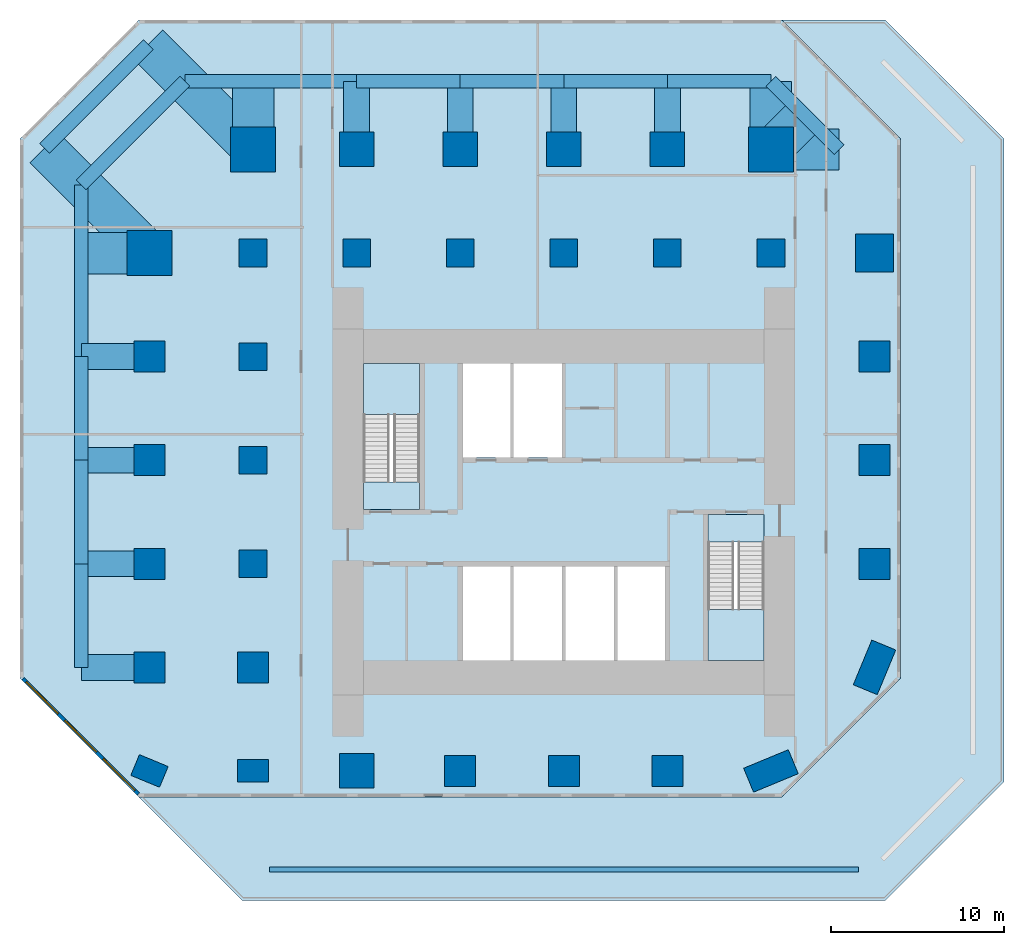
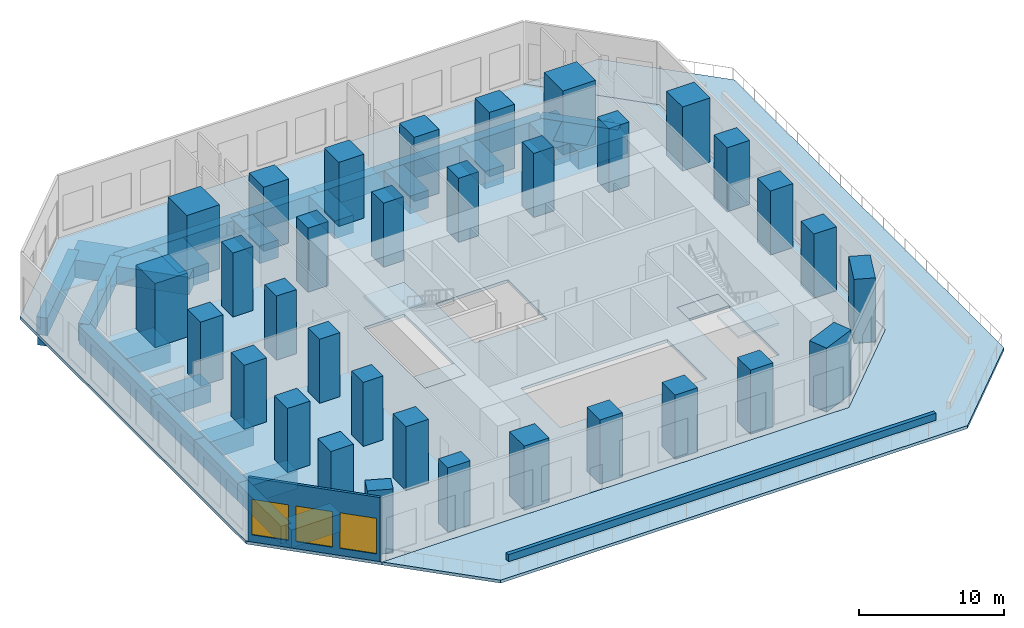
# One storey, part 1 of 7: 33 columns, 27 beams, 6 slabs, 3 windows, 2 walls, 3 openings, 2 elements without a shape of their own.
"""IFC4 building model written with IfcOpenShell, lengths in metres."""

import ifcopenshell
import ifcopenshell.guid

model = None  # the IFC model being written
_history = None  # IfcOwnerHistory: only IFC2X3 demands one
_inside = {}  # id of a spatial element -> (the spatial element, [elements in it])
_under = {}  # id of a project, library or spatial element -> (it, [spatial elements below it])
_declared = {}  # id of a project -> (the project, [libraries it declares])
_typed = {}  # id of a type object -> (the type object, [elements of that type])
_made_of = {}  # id of a material, layer set ... -> (it, [elements and type objects made of it])


def new_model(schema):
    """Start an empty IFC model of exactly this schema.

    Asked for "IFC4X3", IfcOpenShell would pick the latest addendum, in which some entities
    have other attributes; the version numbers below select the first issue.
    IFC2X3 requires an IfcOwnerHistory on every rooted entity: one is made here for all.
    """
    global model, _history
    if schema == "IFC4X3":
        model = ifcopenshell.file(schema_version=(4, 3, 0, 0))
    else:
        model = ifcopenshell.file(schema=schema)
    _inside.clear()
    _under.clear()
    _declared.clear()
    _typed.clear()
    _made_of.clear()
    _history = None
    if model.schema == "IFC2X3":
        org = make("IfcOrganization", Name="unknown")
        user = make(
            "IfcPersonAndOrganization",
            ThePerson=make("IfcPerson", FamilyName="unknown"),
            TheOrganization=org,
        )
        app = make(
            "IfcApplication",
            ApplicationDeveloper=org,
            Version="unknown",
            ApplicationFullName="unknown",
            ApplicationIdentifier="unknown",
        )
        _history = make(
            "IfcOwnerHistory",
            OwningUser=user,
            OwningApplication=app,
            ChangeAction="ADDED",
            CreationDate=0,
        )
    return model


def make(cls, **values):
    """One entity of the class cls with the attributes given. An attribute that is None is left unset."""
    return model.create_entity(
        cls, **{name: value for name, value in values.items() if value is not None}
    )


def rooted(cls, **values):
    """An entity with a GlobalId (a new one), such as an element, a storey or a relation."""
    return make(cls, GlobalId=ifcopenshell.guid.new(), OwnerHistory=_history, **values)


def si_unit(unit_type, name, prefix=None):
    """IfcSIUnit, for example si_unit("LENGTHUNIT", "METRE", prefix="MILLI")."""
    return make("IfcSIUnit", UnitType=unit_type, Prefix=prefix, Name=name)


def assignment(units):
    """IfcUnitAssignment: the units of a project."""
    return None if units is None else make("IfcUnitAssignment", Units=units)


def point(xyz):
    """IfcCartesianPoint."""
    return None if xyz is None else make("IfcCartesianPoint", Coordinates=xyz)


def direction(xyz):
    """IfcDirection."""
    return None if xyz is None else make("IfcDirection", DirectionRatios=xyz)


def frame(location, z_axis=None, x_axis=None):
    """IfcAxis2Placement3D, a coordinate frame: its origin and axes. An axis left out is left unset."""
    return make(
        "IfcAxis2Placement3D",
        Location=point(location),
        Axis=direction(z_axis),
        RefDirection=direction(x_axis),
    )


def frame_2d(location, x_axis=None):
    """IfcAxis2Placement2D, a coordinate frame in the plane: its origin and x axis."""
    return make(
        "IfcAxis2Placement2D", Location=point(location), RefDirection=direction(x_axis)
    )


def origin():
    """The frame at (0, 0, 0) with its axes left unset."""
    return frame((0.0, 0.0, 0.0))


def origin_2d():
    """The frame at (0, 0) in the plane with its x axis left unset."""
    return frame_2d((0.0, 0.0))


def place(relative_to, where):
    """IfcLocalPlacement: puts the frame where relative to a parent placement (None: the world)."""
    return make(
        "IfcLocalPlacement", PlacementRelTo=relative_to, RelativePlacement=where
    )


def context(
    kind, dimensions, precision=None, world=None, true_north=None, identifier=None
):
    """IfcGeometricRepresentationContext, for example the 3D "Model" context."""
    return make(
        "IfcGeometricRepresentationContext",
        ContextIdentifier=identifier,
        ContextType=kind,
        CoordinateSpaceDimension=dimensions,
        Precision=precision,
        WorldCoordinateSystem=world,
        TrueNorth=true_north,
    )


def subcontext(parent, identifier, kind, view, scale=None):
    """IfcGeometricRepresentationSubContext, for example "Body" below "Model"."""
    return make(
        "IfcGeometricRepresentationSubContext",
        ContextIdentifier=identifier,
        ContextType=kind,
        ParentContext=parent,
        TargetScale=scale,
        TargetView=view,
    )


def project(units=None, contexts=None):
    """IfcProject with its units and contexts."""
    return rooted(
        "IfcProject",
        Name="project",
        RepresentationContexts=contexts,
        UnitsInContext=assignment(units),
    )


def spatial(cls, under=None, at=None, **own):
    """A site, building, storey or space (cls), placed at a placement, below another one or the project."""
    s = rooted(cls, ObjectPlacement=at, **own)
    if under is not None:
        _under.setdefault(under.id(), (under, []))[1].append(s)
    return s


def polyline(points):
    """IfcPolyline through the points."""
    return make("IfcPolyline", Points=[point(p) for p in points])


def profile(cls, at=None, kind="AREA", **sizes):
    """A parametric profile (cls). Its sizes go by their IFC names, for example OverallWidth=200.0."""
    return make(cls, ProfileType=kind, Position=at, **sizes)


def rectangle(**sizes):
    """IfcRectangleProfileDef."""
    return profile("IfcRectangleProfileDef", **sizes)


def outline(outer, holes=None, kind="AREA"):
    """IfcArbitraryClosedProfileDef: a profile drawn as a closed curve; with holes, ...WithVoids."""
    if holes is None:
        return make("IfcArbitraryClosedProfileDef", ProfileType=kind, OuterCurve=outer)
    return make(
        "IfcArbitraryProfileDefWithVoids",
        ProfileType=kind,
        OuterCurve=outer,
        InnerCurves=holes,
    )


def extrude(swept, where, along, depth):
    """IfcExtrudedAreaSolid: the profile swept, set in the frame where, extruded along a direction by depth."""
    return make(
        "IfcExtrudedAreaSolid",
        SweptArea=swept,
        Position=where,
        ExtrudedDirection=direction(along),
        Depth=depth,
    )


def shape(context_of_items, identifier, shape_type, items):
    """IfcShapeRepresentation: the items that make up one representation, for example the "Body"."""
    return make(
        "IfcShapeRepresentation",
        ContextOfItems=context_of_items,
        RepresentationIdentifier=identifier,
        RepresentationType=shape_type,
        Items=items,
    )


def material(Name=None, Category=None):
    """IfcMaterial."""
    return make("IfcMaterial", Name=Name, Category=Category)


def layer(
    of_material, thickness, ventilated=None, Name=None, Category=None, Priority=None
):
    """IfcMaterialLayer: one layer of a wall or slab, of a material (None: an air gap)."""
    return make(
        "IfcMaterialLayer",
        Material=of_material,
        LayerThickness=thickness,
        IsVentilated=ventilated,
        Name=Name,
        Category=Category,
        Priority=Priority,
    )


def layer_set(layers, Name=None):
    """IfcMaterialLayerSet."""
    return make("IfcMaterialLayerSet", MaterialLayers=layers, LayerSetName=Name)


def material_profile(
    of_material, cross_section, Name=None, Category=None, Priority=None
):
    """IfcMaterialProfile: a cross section and its material."""
    return make(
        "IfcMaterialProfile",
        Name=Name,
        Material=of_material,
        Profile=cross_section,
        Priority=Priority,
        Category=Category,
    )


def profile_set(profiles, Name=None, composite=None):
    """IfcMaterialProfileSet."""
    return make(
        "IfcMaterialProfileSet",
        Name=Name,
        MaterialProfiles=profiles,
        CompositeProfile=composite,
    )


def made_of(thing, what):
    """Note that an element or type object is made of a material, layer set ...; save() writes the relation."""
    if what is not None:
        _made_of.setdefault(what.id(), (what, []))[1].append(thing)
    return thing


def type_object(cls, material=None, **own):
    """A type object (cls), such as IfcWallType, which elements share."""
    return made_of(rooted(cls, **own), material)


def element(
    cls,
    number,
    at=None,
    inside=None,
    cuts=None,
    type_object=None,
    material=None,
    context=None,
    identifier="Body",
    shape_type=None,
    held_by="IfcProductDefinitionShape",
    body=None,
    shapes=None,
    **own,
):
    """One element of the class cls, such as IfcWall. Its Tag is "e" and its number.

    at: its placement. inside: the storey or other place that contains it. cuts: it is an
    opening in that element (IfcRelVoidsElement). A single representation is given by context,
    identifier, shape_type and body (its items); several are given by shapes. held_by: the class
    of the entity that holds the representations. save() writes the other relations.
    """
    e = rooted(cls, Tag="e%d" % number, ObjectPlacement=at, **own)
    if body is not None:
        shapes = [shape(context, identifier, shape_type, body)]
    if shapes is not None:
        e.Representation = make(held_by, Representations=shapes)
    if inside is not None:
        _inside.setdefault(inside.id(), (inside, []))[1].append(e)
    if cuts is not None:
        rooted(
            "IfcRelVoidsElement", RelatingBuildingElement=cuts, RelatedOpeningElement=e
        )
    if type_object is not None:
        _typed.setdefault(type_object.id(), (type_object, []))[1].append(e)
    return made_of(e, material)


def fill(opening, filler):
    """IfcRelFillsElement: the door or window that sits in an opening."""
    return rooted(
        "IfcRelFillsElement",
        RelatingOpeningElement=opening,
        RelatedBuildingElement=filler,
    )


def aggregate(whole, parts):
    """IfcRelAggregates: a whole, such as a stair, and the parts it consists of."""
    return rooted("IfcRelAggregates", RelatingObject=whole, RelatedObjects=parts)


def save(model, path):
    """Write the relations noted so far, then the file.

    IfcRelAggregates (storeys below a building ...), IfcRelContainedInSpatialStructure (elements
    in a storey), IfcRelDefinesByType, IfcRelAssociatesMaterial and IfcRelDeclares: one each for
    every whole, place, type object, material and project.
    """
    for whole, parts in _under.values():
        aggregate(whole, parts)
    for where, things in _inside.values():
        rooted(
            "IfcRelContainedInSpatialStructure",
            RelatedElements=things,
            RelatingStructure=where,
        )
    for kind, things in _typed.values():
        rooted("IfcRelDefinesByType", RelatedObjects=things, RelatingType=kind)
    for what, things in _made_of.values():
        rooted("IfcRelAssociatesMaterial", RelatedObjects=things, RelatingMaterial=what)
    for by, libraries in _declared.values():
        rooted("IfcRelDeclares", RelatingContext=by, RelatedDefinitions=libraries)
    model.write(path)


model = new_model("IFC4")

# Units and contexts
model_context = context("Model", 3, precision=1e-05, world=origin(), true_north=direction((0.0, 1.0)))
body_context = subcontext(model_context, "Body", "Model", "MODEL_VIEW")
ifc_project = project(units=[si_unit("LENGTHUNIT", "METRE"), si_unit("AREAUNIT", "SQUARE_METRE"), si_unit("VOLUMEUNIT", "CUBIC_METRE"), si_unit("PLANEANGLEUNIT", "RADIAN"), si_unit("MASSUNIT", "GRAM", prefix="KILO")], contexts=[model_context])

# Site, building, storey
site_placement = place(None, origin())
site = spatial("IfcSite", under=ifc_project, at=site_placement, CompositionType="ELEMENT")
building_placement = place(site_placement, origin())
building = spatial("IfcBuilding", under=site, at=building_placement, Name="Highveld Stack Headquarters", CompositionType="ELEMENT")
storey_placement = place(building_placement, frame((0.0, 0.0, 88.39990234375)))
storey = spatial("IfcBuildingStorey", under=building, at=storey_placement, Name="L21", CompositionType="ELEMENT", Elevation=88.39990234375)

# Columns
ifc_material_1 = material(Name="Concrete C60/75", Category="concrete")
ifc_material_profile_1 = material_profile(ifc_material_1, rectangle(XDim=1.60009765625, YDim=1.60009765625, at=origin_2d()), Name="RC 1600x1600")
ifc_profile_set_1 = profile_set([ifc_material_profile_1], Name="Concrete C60/75")
column_type_1 = type_object("IfcColumnType", Name="COLUMN RC 1600x1600 C60/75", PredefinedType="COLUMN", material=ifc_profile_set_1)
for number, where, z_axis, x_axis, name in (
    (1, (-12.0, 0.0, 0.0), (0.0, 0.0, 1.0), (1.0, 0.0, 0.0), "Column 4/E L21"),
    (2, (-12.0, 6.0, 0.0), (0.0, 0.0, 1.0), (1.0, 0.0, 0.0), "Column 4/F L21"),
    (3, (-12.0, 12.0, 0.0), (0.0, 0.0, 1.0), (1.0, 0.0, 0.0), "Column 4/G L21"),
    (4, (-12.0, 18.0, 0.0), (0.0, 0.0, 1.0), (1.0, 0.0, 0.0), "Column 4/H L21"),
    (5, (-6.0, 18.0, 0.0), (0.0, 0.0, 1.0), (1.0, 0.0, 0.0), "Column 5/H L21"),
    (6, (0.0, 18.0, 0.0), (0.0, 0.0, 1.0), (1.0, 0.0, 0.0), "Column 6/H L21"),
    (7, (6.0, 18.0, 0.0), (0.0, 0.0, 1.0), (1.0, 0.0, 0.0), "Column 7/H L21"),
    (8, (12.0, 18.0, 0.0), (0.0, 0.0, 1.0), (1.0, 0.0, 0.0), "Column 8/H L21"),
    (9, (18.0, 18.0, 0.0), (0.0, 0.0, 1.0), (1.0, 0.0, 0.0), "Column 9/H L21"),
):
    element("IfcColumn", number, at=place(storey_placement, frame(where, z_axis=z_axis, x_axis=x_axis)), inside=storey, type_object=column_type_1, Name=name, PredefinedType="COLUMN", context=body_context, shape_type="SweptSolid", body=[
        extrude(rectangle(XDim=1.60009765625, YDim=1.60009765625, at=origin_2d()), origin(), (0.0, 0.0, 1.0), 5.400146484375),
    ])
ifc_material_2 = material(Name="Concrete C60/75", Category="concrete")
ifc_material_profile_2 = material_profile(ifc_material_2, rectangle(XDim=1.800048828125, YDim=1.300048828125, at=origin_2d()), Name="RC 1800x1300")
ifc_profile_set_2 = profile_set([ifc_material_profile_2], Name="Concrete C60/75")
column_type_2 = type_object("IfcColumnType", Name="COLUMN RC 1800x1300 C60/75", PredefinedType="COLUMN", material=ifc_profile_set_2)
for number, where, z_axis, x_axis, name in (
    (10, (-18.0, -12.0, 0.0), (0.0, 0.0, 1.0), (-0.923879532511, 0.382683432365, 0.0), "Column 3/C L21"),
    (11, (-12.0, -12.0, 0.0), (0.0, 0.0, 1.0), (1.0, 0.0, 0.0), "Column 4/C L21"),
):
    element("IfcColumn", number, at=place(storey_placement, frame(where, z_axis=z_axis, x_axis=x_axis)), inside=storey, type_object=column_type_2, Name=name, PredefinedType="COLUMN", context=body_context, shape_type="SweptSolid", body=[
        extrude(rectangle(XDim=1.800048828125, YDim=1.300048828125, at=origin_2d()), origin(), (0.0, 0.0, 1.0), 5.400146484375),
    ])
ifc_material_3 = material(Name="Concrete C60/75", Category="concrete")
ifc_material_profile_3 = material_profile(ifc_material_3, rectangle(XDim=1.800048828125, YDim=1.800048828125, at=origin_2d()), Name="RC 1800x1800")
ifc_profile_set_3 = profile_set([ifc_material_profile_3], Name="Concrete C60/75")
column_type_3 = type_object("IfcColumnType", Name="COLUMN RC 1800x1800 C60/75", PredefinedType="COLUMN", material=ifc_profile_set_3)
for number, where, z_axis, x_axis, name in (
    (12, (-18.0, -6.0, 0.0), (0.0, 0.0, 1.0), (1.0, 0.0, 0.0), "Column 3/D L21"),
    (13, (-18.0, 0.0, 0.0), (0.0, 0.0, 1.0), (1.0, 0.0, 0.0), "Column 3/E L21"),
    (14, (-18.0, 6.0, 0.0), (0.0, 0.0, 1.0), (1.0, 0.0, 0.0), "Column 3/F L21"),
    (15, (-18.0, 12.0, 0.0), (0.0, 0.0, 1.0), (1.0, 0.0, 0.0), "Column 3/G L21"),
    (16, (-12.0, -6.0, 0.0), (0.0, 0.0, 1.0), (1.0, 0.0, 0.0), "Column 4/D L21"),
    (17, (0.0, -12.0, 0.0), (0.0, 0.0, 1.0), (1.0, 0.0, 0.0), "Column 6/C L21"),
    (18, (6.0, -12.0, 0.0), (0.0, 0.0, 1.0), (1.0, 0.0, 0.0), "Column 7/C L21"),
    (19, (12.0, -12.0, 0.0), (0.0, 0.0, 1.0), (1.0, 0.0, 0.0), "Column 8/C L21"),
    (20, (24.0, 0.0, 0.0), (0.0, 0.0, 1.0), (1.0, 0.0, 0.0), "Column 10/E L21"),
    (21, (24.0, 6.0, 0.0), (0.0, 0.0, 1.0), (1.0, 0.0, 0.0), "Column 10/F L21"),
    (22, (24.0, 12.0, 0.0), (0.0, 0.0, 1.0), (1.0, 0.0, 0.0), "Column 10/G L21"),
):
    element("IfcColumn", number, at=place(storey_placement, frame(where, z_axis=z_axis, x_axis=x_axis)), inside=storey, type_object=column_type_3, Name=name, PredefinedType="COLUMN", context=body_context, shape_type="SweptSolid", body=[
        extrude(rectangle(XDim=1.800048828125, YDim=1.800048828125, at=origin_2d()), origin(), (0.0, 0.0, 1.0), 5.400146484375),
    ])
ifc_material_4 = material(Name="Concrete C60/75", Category="concrete")
ifc_material_profile_4 = material_profile(ifc_material_4, rectangle(XDim=2.0, YDim=2.0, at=origin_2d()), Name="RC 2000x2000")
ifc_profile_set_4 = profile_set([ifc_material_profile_4], Name="Concrete C60/75")
column_type_4 = type_object("IfcColumnType", Name="COLUMN RC 2000x2000 C60/75", PredefinedType="COLUMN", material=ifc_profile_set_4)
for number, where, z_axis, x_axis, name in (
    (23, (-6.0, -12.0, 0.0), (0.0, 0.0, 1.0), (1.0, 0.0, 0.0), "Column 5/C L21"),
    (24, (-6.0, 24.0, 0.0), (0.0, 0.0, 1.0), (1.0, 0.0, 0.0), "Column 5/J L21"),
    (25, (0.0, 24.0, 0.0), (0.0, 0.0, 1.0), (1.0, 0.0, 0.0), "Column 6/J L21"),
    (26, (6.0, 24.0, 0.0), (0.0, 0.0, 1.0), (1.0, 0.0, 0.0), "Column 7/J L21"),
    (27, (12.0, 24.0, 0.0), (0.0, 0.0, 1.0), (1.0, 0.0, 0.0), "Column 8/J L21"),
):
    element("IfcColumn", number, at=place(storey_placement, frame(where, z_axis=z_axis, x_axis=x_axis)), inside=storey, type_object=column_type_4, Name=name, PredefinedType="COLUMN", context=body_context, shape_type="SweptSolid", body=[
        extrude(rectangle(XDim=2.0, YDim=2.0, at=origin_2d()), origin(), (0.0, 0.0, 1.0), 5.400146484375),
    ])
ifc_material_5 = material(Name="Concrete C60/75", Category="concrete")
ifc_material_profile_5 = material_profile(ifc_material_5, rectangle(XDim=2.199951171875, YDim=2.199951171875, at=origin_2d()), Name="RC 2200x2200")
ifc_profile_set_5 = profile_set([ifc_material_profile_5], Name="Concrete C60/75")
column_type_5 = type_object("IfcColumnType", Name="COLUMN RC 2200x2200 C60/75", PredefinedType="COLUMN", material=ifc_profile_set_5)
column_placement = place(storey_placement, frame((24.0, 18.0, 0.0), z_axis=(0.0, 0.0, 1.0), x_axis=(1.0, 0.0, 0.0)))
element("IfcColumn", 28, at=column_placement, inside=storey, type_object=column_type_5, Name="Column 10/H L21", PredefinedType="COLUMN", context=body_context, shape_type="SweptSolid", body=[
    extrude(rectangle(XDim=2.199951171875, YDim=2.199951171875, at=origin_2d()), origin(), (0.0, 0.0, 1.0), 5.400146484375),
])
ifc_material_6 = material(Name="Concrete C60/75", Category="concrete")
ifc_material_profile_6 = material_profile(ifc_material_6, rectangle(XDim=2.60009765625, YDim=2.60009765625, at=origin_2d()), Name="RC 2600x2600")
ifc_profile_set_6 = profile_set([ifc_material_profile_6], Name="Concrete C60/75")
column_type_6 = type_object("IfcColumnType", Name="COLUMN RC 2600x2600 C60/75", PredefinedType="COLUMN", material=ifc_profile_set_6)
for number, where, z_axis, x_axis, name in (
    (29, (-18.0, 18.0, 0.0), (0.0, 0.0, 1.0), (1.0, 0.0, 0.0), "Column 3/H L21"),
    (30, (-12.0, 24.0, 0.0), (0.0, 0.0, 1.0), (1.0, 0.0, 0.0), "Column 4/J L21"),
    (31, (18.0, 24.0, 0.0), (0.0, 0.0, 1.0), (1.0, 0.0, 0.0), "Column 9/J L21"),
):
    element("IfcColumn", number, at=place(storey_placement, frame(where, z_axis=z_axis, x_axis=x_axis)), inside=storey, type_object=column_type_6, Name=name, PredefinedType="COLUMN", context=body_context, shape_type="SweptSolid", body=[
        extrude(rectangle(XDim=2.60009765625, YDim=2.60009765625, at=origin_2d()), origin(), (0.0, 0.0, 1.0), 5.400146484375),
    ])
ifc_material_7 = material(Name="Concrete C60/75", Category="concrete")
ifc_material_profile_7 = material_profile(ifc_material_7, rectangle(XDim=2.800048828125, YDim=1.5, at=origin_2d()), Name="RC 2800x1500")
ifc_profile_set_7 = profile_set([ifc_material_profile_7], Name="Concrete C60/75")
column_type_7 = type_object("IfcColumnType", Name="COLUMN RC 2800x1500 C60/75", PredefinedType="COLUMN", material=ifc_profile_set_7)
for number, where, z_axis, x_axis, name in (
    (32, (18.0, -12.0, 0.0), (0.0, 0.0, 1.0), (-0.923879532511, -0.382683432365, 0.0), "Column 9/C L21"),
    (33, (24.0, -6.0, 0.0), (0.0, 0.0, 1.0), (-0.382683432365, -0.923879532511, 0.0), "Column 10/D L21"),
):
    element("IfcColumn", number, at=place(storey_placement, frame(where, z_axis=z_axis, x_axis=x_axis)), inside=storey, type_object=column_type_7, Name=name, PredefinedType="COLUMN", context=body_context, shape_type="SweptSolid", body=[
        extrude(rectangle(XDim=2.800048828125, YDim=1.5, at=origin_2d()), origin(), (0.0, 0.0, 1.0), 5.400146484375),
    ])

# Beams
ifc_material_8 = material(Name="Concrete C60/75", Category="concrete")
ifc_material_profile_8 = material_profile(ifc_material_8, rectangle(XDim=1.5, YDim=1.5, at=origin_2d()), Name="RC 1500x1500")
ifc_profile_set_8 = profile_set([ifc_material_profile_8], Name="Concrete C60/75")
beam_type_1 = type_object("IfcBeamType", Name="CANTILEVER RIB RC 1500x1500", PredefinedType="USERDEFINED", material=ifc_profile_set_8)
for number, where, z_axis, x_axis, name in (
    (34, (-18.0, -6.0, -1.0), (-1.0, 0.0, 0.0), (0.0, -1.0, 0.0), "Cantilever rib 3/D L21"),
    (35, (-18.0, 0.0, -1.0), (-1.0, 0.0, 0.0), (0.0, -1.0, 0.0), "Cantilever rib 3/E L21"),
    (36, (-18.0, 6.0, -1.0), (-1.0, 0.0, 0.0), (0.0, -1.0, 0.0), "Cantilever rib 3/F L21"),
    (37, (-18.0, 12.0, -1.0), (-1.0, 0.0, 0.0), (0.0, -1.0, 0.0), "Cantilever rib 3/G L21"),
    (38, (-6.0, 24.0, -1.0), (0.0, 1.0, 0.0), (-1.0, 0.0, 0.0), "Cantilever rib 5/J L21"),
    (39, (0.0, 24.0, -1.0), (0.0, 1.0, 0.0), (-1.0, 0.0, 0.0), "Cantilever rib 6/J L21"),
    (40, (6.0, 24.0, -1.0), (0.0, 1.0, 0.0), (-1.0, 0.0, 0.0), "Cantilever rib 7/J L21"),
    (41, (12.0, 24.0, -1.0), (0.0, 1.0, 0.0), (-1.0, 0.0, 0.0), "Cantilever rib 8/J L21"),
):
    element("IfcBeam", number, at=place(storey_placement, frame(where, z_axis=z_axis, x_axis=x_axis)), inside=storey, type_object=beam_type_1, Name=name, ObjectType="CANTILEVER RIB", PredefinedType="USERDEFINED", context=body_context, shape_type="SweptSolid", body=[
        extrude(rectangle(XDim=1.5, YDim=1.5, at=origin_2d()), origin(), (0.0, 0.0, 1.0), 3.949951171875),
    ])
ifc_material_9 = material(Name="Concrete C60/75", Category="concrete")
ifc_material_profile_9 = material_profile(ifc_material_9, rectangle(XDim=2.39990234375, YDim=1.5, at=origin_2d()), Name="RC 2400x1500")
ifc_profile_set_9 = profile_set([ifc_material_profile_9], Name="Concrete C60/75")
beam_type_2 = type_object("IfcBeamType", Name="CANTILEVER RIB RC 2400x1500", PredefinedType="USERDEFINED", material=ifc_profile_set_9)
beam_1_placement = place(storey_placement, frame((-18.0, 18.0, -1.0), z_axis=(-1.0, 0.0, 0.0), x_axis=(0.0, -1.0, 0.0)))
element("IfcBeam", 42, at=beam_1_placement, inside=storey, type_object=beam_type_2, Name="Cantilever rib 3/H L21", ObjectType="CANTILEVER RIB", PredefinedType="USERDEFINED", context=body_context, shape_type="SweptSolid", body=[
    extrude(rectangle(XDim=2.39990234375, YDim=1.5, at=origin_2d()), origin(), (0.0, 0.0, 1.0), 3.949951171875),
])
beam_2_placement = place(storey_placement, frame((-18.0, 18.0, -1.0), z_axis=(-0.707106781187, 0.707106781187, 0.0), x_axis=(-0.707106781187, -0.707106781187, 0.0)))
element("IfcBeam", 43, at=beam_2_placement, inside=storey, type_object=beam_type_2, Name="Cantilever rib 3/H L21", ObjectType="CANTILEVER RIB", PredefinedType="USERDEFINED", context=body_context, shape_type="SweptSolid", body=[
    extrude(rectangle(XDim=2.39990234375, YDim=1.5, at=origin_2d()), origin(), (0.0, 0.0, 1.0), 8.585693359375),
])
beam_3_placement = place(storey_placement, frame((-12.0, 24.0, -1.0), z_axis=(0.0, 1.0, 0.0), x_axis=(-1.0, 0.0, 0.0)))
element("IfcBeam", 44, at=beam_3_placement, inside=storey, type_object=beam_type_2, Name="Cantilever rib 4/J L21", ObjectType="CANTILEVER RIB", PredefinedType="USERDEFINED", context=body_context, shape_type="SweptSolid", body=[
    extrude(rectangle(XDim=2.39990234375, YDim=1.5, at=origin_2d()), origin(), (0.0, 0.0, 1.0), 3.949951171875),
])
beam_4_placement = place(storey_placement, frame((-12.0, 24.0, -1.0), z_axis=(-0.707106781187, 0.707106781187, 0.0), x_axis=(-0.707106781187, -0.707106781187, 0.0)))
element("IfcBeam", 45, at=beam_4_placement, inside=storey, type_object=beam_type_2, Name="Cantilever rib 4/J L21", ObjectType="CANTILEVER RIB", PredefinedType="USERDEFINED", context=body_context, shape_type="SweptSolid", body=[
    extrude(rectangle(XDim=2.39990234375, YDim=1.5, at=origin_2d()), origin(), (0.0, 0.0, 1.0), 8.585693359375),
])
for number, where, z_axis, x_axis, name in (
    (46, (18.0, 24.0, -1.0), (1.0, 0.0, 0.0), (0.0, 1.0, 0.0), "Cantilever rib 9/J L21"),
    (47, (18.0, 24.0, -1.0), (0.0, 1.0, 0.0), (-1.0, 0.0, 0.0), "Cantilever rib 9/J L21"),
):
    element("IfcBeam", number, at=place(storey_placement, frame(where, z_axis=z_axis, x_axis=x_axis)), inside=storey, type_object=beam_type_2, Name=name, ObjectType="CANTILEVER RIB", PredefinedType="USERDEFINED", context=body_context, shape_type="SweptSolid", body=[
        extrude(rectangle(XDim=2.39990234375, YDim=1.5, at=origin_2d()), origin(), (0.0, 0.0, 1.0), 3.949951171875),
    ])
beam_5_placement = place(storey_placement, frame((18.0, 24.0, -1.0), z_axis=(0.707106781187, 0.707106781187, 0.0), x_axis=(-0.707106781187, 0.707106781187, 0.0)))
element("IfcBeam", 48, at=beam_5_placement, inside=storey, type_object=beam_type_2, Name="Cantilever rib 9/J L21", ObjectType="CANTILEVER RIB", PredefinedType="USERDEFINED", context=body_context, shape_type="SweptSolid", body=[
    extrude(rectangle(XDim=2.39990234375, YDim=1.5, at=origin_2d()), origin(), (0.0, 0.0, 1.0), 2.793212890625),
])
ifc_material_10 = material(Name="Concrete C60/75", Category="concrete")
ifc_material_profile_10 = material_profile(ifc_material_10, rectangle(XDim=0.800048828125, YDim=1.5, at=origin_2d()), Name="RC 800x1500")
ifc_profile_set_10 = profile_set([ifc_material_profile_10], Name="Concrete C60/75")
beam_type_3 = type_object("IfcBeamType", Name="RIB TIP BEAM RC 800x1500", PredefinedType="SPANDREL", material=ifc_profile_set_10)
for number, where, z_axis, x_axis, name in (
    (49, (-21.949951171875, -6.0, -1.0), (0.0, 1.0, 0.0), (-1.0, 0.0, 0.0), "Rib tip beam 3/D to 3/E L21"),
    (50, (-21.949951171875, 0.0, -1.0), (0.0, 1.0, 0.0), (-1.0, 0.0, 0.0), "Rib tip beam 3/E to 3/F L21"),
    (51, (-21.949951171875, 6.0, -1.0), (0.0, 1.0, 0.0), (-1.0, 0.0, 0.0), "Rib tip beam 3/F to 3/G L21"),
):
    element("IfcBeam", number, at=place(storey_placement, frame(where, z_axis=z_axis, x_axis=x_axis)), inside=storey, type_object=beam_type_3, Name=name, PredefinedType="SPANDREL", context=body_context, shape_type="SweptSolid", body=[
        extrude(rectangle(XDim=0.800048828125, YDim=1.5, at=origin_2d()), origin(), (0.0, 0.0, 1.0), 6.0),
    ])
for number, where, z_axis, x_axis, name in (
    (52, (-21.949951171875, 12.0, -1.0), (0.0, 1.0, 0.0), (-1.0, 0.0, 0.0), "Rib tip beam 3/G to 3/H L21"),
    (53, (-15.949951171875, 27.949951171875, -1.0), (1.0, 0.0, 0.0), (0.0, 1.0, 0.0), "Rib tip beam 4/J to 5/J L21"),
):
    element("IfcBeam", number, at=place(storey_placement, frame(where, z_axis=z_axis, x_axis=x_axis)), inside=storey, type_object=beam_type_3, Name=name, PredefinedType="SPANDREL", context=body_context, shape_type="SweptSolid", body=[
        extrude(rectangle(XDim=0.800048828125, YDim=1.5, at=origin_2d()), origin(), (0.0, 0.0, 1.0), 9.949951171875),
    ])
for number, where, z_axis, x_axis, name in (
    (54, (-6.0, 27.949951171875, -1.0), (1.0, 0.0, 0.0), (0.0, 1.0, 0.0), "Rib tip beam 5/J to 6/J L21"),
    (55, (0.0, 27.949951171875, -1.0), (1.0, 0.0, 0.0), (0.0, 1.0, 0.0), "Rib tip beam 6/J to 7/J L21"),
    (56, (6.0, 27.949951171875, -1.0), (1.0, 0.0, 0.0), (0.0, 1.0, 0.0), "Rib tip beam 7/J to 8/J L21"),
    (57, (12.0, 27.949951171875, -1.0), (1.0, 0.0, 0.0), (0.0, 1.0, 0.0), "Rib tip beam 8/J to 9/J L21"),
):
    element("IfcBeam", number, at=place(storey_placement, frame(where, z_axis=z_axis, x_axis=x_axis)), inside=storey, type_object=beam_type_3, Name=name, PredefinedType="SPANDREL", context=body_context, shape_type="SweptSolid", body=[
        extrude(rectangle(XDim=0.800048828125, YDim=1.5, at=origin_2d()), origin(), (0.0, 0.0, 1.0), 6.0),
    ])
for number, where, z_axis, x_axis, name in (
    (58, (-21.949951171875, 21.949951171875, -1.0), (0.707106781187, 0.707106781187, 0.0), (-0.707106781187, 0.707106781187, 0.0), "Rib tip beam 3/H to 4/J chamfer L21"),
    (59, (-24.071044921875, 24.071044921875, -1.0), (0.707106781187, 0.707106781187, 0.0), (-0.707106781187, 0.707106781187, 0.0), "Rib tip beam 3/H to 4/J chamfer edge L21"),
):
    element("IfcBeam", number, at=place(storey_placement, frame(where, z_axis=z_axis, x_axis=x_axis)), inside=storey, type_object=beam_type_3, Name=name, PredefinedType="SPANDREL", context=body_context, shape_type="SweptSolid", body=[
        extrude(rectangle(XDim=0.800048828125, YDim=1.5, at=origin_2d()), origin(), (0.0, 0.0, 1.0), 8.4853515625),
    ])
beam_6_placement = place(storey_placement, frame((21.949951171875, 24.0, -1.0), z_axis=(-0.707106781187, 0.707106781187, 0.0), x_axis=(-0.707106781187, -0.707106781187, 0.0)))
element("IfcBeam", 60, at=beam_6_placement, inside=storey, type_object=beam_type_3, Name="Rib tip beam 9/J corner L21", PredefinedType="SPANDREL", context=body_context, shape_type="SweptSolid", body=[
    extrude(rectangle(XDim=0.800048828125, YDim=1.5, at=origin_2d()), origin(), (0.0, 0.0, 1.0), 5.586181640625),
])

# Slab
ifc_material_11 = material(Name="Concrete C60/75", Category="concrete")
ifc_layer_1 = layer(ifc_material_11, 0.25)
ifc_layer_set_1 = layer_set([ifc_layer_1], Name="Concrete C60/75")
slab_type_1 = type_object("IfcSlabType", Name="PT FLAT SLAB 250", PredefinedType="FLOOR", material=ifc_layer_set_1)
slab_1_placement = place(storey_placement, frame((0.0, 0.0, -0.25)))
element("IfcSlab", 61, at=slab_1_placement, inside=storey, type_object=slab_type_1, Name="Floor slab L21", PredefinedType="FLOOR", context=body_context, shape_type="SweptSolid", body=[
    extrude(outline(polyline([(-18.621337890625, -13.5), (18.621337890625, -13.5), (25.5, -6.621337890625), (25.5, 24.621337890625), (18.621337890625, 31.5), (-18.621337890625, 31.5), (-25.5, 24.621337890625), (-25.5, -6.621337890625), (-18.621337890625, -13.5)]), holes=[polyline([(0.14990234375, 6.14990234375), (5.89990234375, 6.14990234375), (5.89990234375, 11.60009765625), (0.14990234375, 11.60009765625), (0.14990234375, 6.14990234375)]), polyline([(0.14990234375, -5.60009765625), (11.85009765625, -5.60009765625), (11.85009765625, -0.14990234375), (0.14990234375, -0.14990234375), (0.14990234375, -5.60009765625)]), polyline([(-5.60009765625, 3.14990234375), (-2.35009765625, 3.14990234375), (-2.35009765625, 11.60009765625), (-5.60009765625, 11.60009765625), (-5.60009765625, 3.14990234375)]), polyline([(14.35009765625, -5.60009765625), (17.60009765625, -5.60009765625), (17.60009765625, 2.85009765625), (14.35009765625, 2.85009765625), (14.35009765625, -5.60009765625)])]), origin(), (0.0, 0.0, 1.0), 0.25),
])

# Stair, slabs
ifc_material_12 = material(Name="Concrete C40/50, precast", Category="concrete")
stair_type_1 = type_object("IfcStairType", Name="STAIR S1 HALF TURN 1500", PredefinedType="HALF_TURN_STAIR", material=ifc_material_12)
stair_1_placement = place(storey_placement, origin())
stair_1 = element("IfcStair", 62, at=stair_1_placement, inside=storey, type_object=stair_type_1, Name="Stair S1 L21", PredefinedType="HALF_TURN_STAIR")
ifc_material_13 = material(Name="Concrete C40/50, precast", Category="concrete")
ifc_layer_2 = layer(ifc_material_13, 0.199951171875)
ifc_layer_set_2 = layer_set([ifc_layer_2], Name="Concrete C40/50, precast")
slab_type_2 = type_object("IfcSlabType", Name="STAIR LANDING 200", PredefinedType="LANDING", material=ifc_layer_set_2)
slab_2_placement = place(storey_placement, frame((0.0, 0.0, 2.5)))
slab_2 = element("IfcSlab", 63, at=slab_2_placement, type_object=slab_type_2, Name="S1 landing 1", PredefinedType="LANDING", context=body_context, shape_type="SweptSolid", body=[
    extrude(outline(polyline([(-5.60009765625, 8.64990234375), (-2.35009765625, 8.64990234375), (-2.35009765625, 11.60009765625), (-5.60009765625, 11.60009765625), (-5.60009765625, 8.64990234375)])), origin(), (0.0, 0.0, 1.0), 0.2001953125),
])
slab_3_placement = place(storey_placement, frame((0.0, 0.0, -0.199951171875)))
slab_3 = element("IfcSlab", 64, at=slab_3_placement, type_object=slab_type_2, Name="S1 landing 2", PredefinedType="LANDING", context=body_context, shape_type="SweptSolid", body=[
    extrude(outline(polyline([(-5.60009765625, 3.14990234375), (-2.35009765625, 3.14990234375), (-2.35009765625, 4.75), (-5.60009765625, 4.75), (-5.60009765625, 3.14990234375)])), origin(), (0.0, 0.0, 1.0), 0.199951171875),
])
aggregate(stair_1, [slab_2, slab_3])

ifc_material_14 = material(Name="Concrete C40/50, precast", Category="concrete")
stair_type_2 = type_object("IfcStairType", Name="STAIR S2 HALF TURN 1500", PredefinedType="HALF_TURN_STAIR", material=ifc_material_14)
stair_2_placement = place(storey_placement, origin())
stair_2 = element("IfcStair", 65, at=stair_2_placement, inside=storey, type_object=stair_type_2, Name="Stair S2 L21", PredefinedType="HALF_TURN_STAIR")
slab_4_placement = place(storey_placement, frame((0.0, 0.0, 2.5)))
slab_4 = element("IfcSlab", 66, at=slab_4_placement, type_object=slab_type_2, Name="S2 landing 1", PredefinedType="LANDING", context=body_context, shape_type="SweptSolid", body=[
    extrude(outline(polyline([(14.35009765625, -5.60009765625), (17.60009765625, -5.60009765625), (17.60009765625, -2.64990234375), (14.35009765625, -2.64990234375), (14.35009765625, -5.60009765625)])), origin(), (0.0, 0.0, 1.0), 0.2001953125),
])
slab_5_placement = place(storey_placement, frame((0.0, 0.0, -0.199951171875)))
slab_5 = element("IfcSlab", 67, at=slab_5_placement, type_object=slab_type_2, Name="S2 landing 2", PredefinedType="LANDING", context=body_context, shape_type="SweptSolid", body=[
    extrude(outline(polyline([(14.35009765625, 1.25), (17.60009765625, 1.25), (17.60009765625, 2.85009765625), (14.35009765625, 2.85009765625), (14.35009765625, 1.25)])), origin(), (0.0, 0.0, 1.0), 0.199951171875),
])
aggregate(stair_2, [slab_4, slab_5])

# Slab
ifc_material_15 = material(Name="Concrete C60/75", Category="concrete")
ifc_layer_3 = layer(ifc_material_15, 0.25)
ifc_layer_set_3 = layer_set([ifc_layer_3], Name="Concrete C60/75")
slab_type_3 = type_object("IfcSlabType", Name="TERRACE SLAB 250", PredefinedType="FLOOR", material=ifc_layer_set_3)
slab_6_placement = place(storey_placement, frame((0.0, 0.0, -0.25)))
element("IfcSlab", 68, at=slab_6_placement, inside=storey, type_object=slab_type_3, Name="Planted terrace L21", PredefinedType="FLOOR", context=body_context, shape_type="SweptSolid", body=[
    extrude(outline(polyline([(24.621337890625, 31.5), (31.5, 24.621337890625), (31.5, -12.621337890625), (24.621337890625, -19.5), (-12.621337890625, -19.5), (-18.621337890625, -13.5), (18.621337890625, -13.5), (25.5, -6.621337890625), (25.5, 24.621337890625), (18.621337890625, 31.5), (24.621337890625, 31.5)])), origin(), (0.0, 0.0, 1.0), 0.25),
])

# Wall
ifc_material_16 = material(Name="Concrete C40/50, precast planter", Category="concrete")
ifc_layer_4 = layer(ifc_material_16, 0.300048828125)
ifc_layer_set_4 = layer_set([ifc_layer_4], Name="Concrete C40/50, precast planter")
wall_type_1 = type_object("IfcWallType", Name="PLANTER WALL PL1 300", PredefinedType="USERDEFINED", material=ifc_layer_set_4)
wall_1_placement = place(storey_placement, frame((23.05908203125, -17.699951171875, 0.0), z_axis=(0.0, 0.0, 1.0), x_axis=(-1.0, 0.0, 0.0)))
element("IfcWall", 69, at=wall_1_placement, inside=storey, type_object=wall_type_1, Name="Planter L21 1.5", ObjectType="PLANTER", PredefinedType="USERDEFINED", context=body_context, shape_type="SweptSolid", body=[
    extrude(rectangle(XDim=34.1181640625, YDim=0.300048828125, at=frame_2d((17.05908203125, 0.0))), origin(), (0.0, 0.0, 1.0), 0.60009765625),
])

# Wall, openings, windows
ifc_material_17 = material(Name="Concrete C40/50, precast cladding", Category="concrete")
ifc_layer_5 = layer(ifc_material_17, 0.199951171875)
ifc_layer_set_5 = layer_set([ifc_layer_5], Name="Concrete C40/50, precast cladding")
wall_type_2 = type_object("IfcWallType", Name="PRECAST LOUVRE WALL 200", PredefinedType="USERDEFINED", material=ifc_layer_set_5)
wall_2_placement = place(storey_placement, frame((-25.329345703125, -6.650634765625, 0.0), z_axis=(0.0, 0.0, 1.0), x_axis=(0.707106781187, -0.707106781187, 0.0)))
wall_2 = element("IfcWall", 70, at=wall_2_placement, inside=storey, type_object=wall_type_2, Name="Precast louvre wall L21 SW", ObjectType="PRECAST CLADDING", PredefinedType="USERDEFINED", context=body_context, shape_type="SweptSolid", body=[
    extrude(rectangle(XDim=9.445068359375, YDim=0.199951171875, at=frame_2d((4.72265625, 0.0))), origin(), (0.0, 0.0, 1.0), 5.400146484375),
])
opening_1_placement = place(wall_2_placement, frame((0.274169921875, 0.0, 0.60009765625)))
opening_1 = element("IfcOpeningElement", 71, at=opening_1_placement, cuts=wall_2, Name="Opening L2", PredefinedType="OPENING", context=body_context, shape_type="SweptSolid", body=[
    extrude(rectangle(XDim=2.60009765625, YDim=3.0, at=frame_2d((1.300048828125, 1.5))), frame((0.0, 0.10986328125, 0.0), z_axis=(0.0, -1.0, 0.0), x_axis=(1.0, 0.0, 0.0)), (0.0, 0.0, 1.0), 0.219970703125),
])
opening_2_placement = place(wall_2_placement, frame((3.422607421875, 0.0, 0.60009765625)))
opening_2 = element("IfcOpeningElement", 72, at=opening_2_placement, cuts=wall_2, Name="Opening L2", PredefinedType="OPENING", context=body_context, shape_type="SweptSolid", body=[
    extrude(rectangle(XDim=2.60009765625, YDim=3.0, at=frame_2d((1.300048828125, 1.5))), frame((0.0, 0.10986328125, 0.0), z_axis=(0.0, -1.0, 0.0), x_axis=(1.0, 0.0, 0.0)), (0.0, 0.0, 1.0), 0.219970703125),
])
opening_3_placement = place(wall_2_placement, frame((6.57080078125, 0.0, 0.60009765625)))
opening_3 = element("IfcOpeningElement", 73, at=opening_3_placement, cuts=wall_2, Name="Opening L2", PredefinedType="OPENING", context=body_context, shape_type="SweptSolid", body=[
    extrude(rectangle(XDim=2.60009765625, YDim=3.0, at=frame_2d((1.300048828125, 1.5))), frame((0.0, 0.10986328125, 0.0), z_axis=(0.0, -1.0, 0.0), x_axis=(1.0, 0.0, 0.0)), (0.0, 0.0, 1.0), 0.219970703125),
])
ifc_material_18 = material(Name="Aluminium bronze anodised", Category="aluminium")
window_type = type_object("IfcWindowType", Name="LOUVRE L2 2400x3000 CHAMFER", PartitioningType="SINGLE_PANEL", PredefinedType="USERDEFINED", material=ifc_material_18)
window_1_placement = place(opening_1_placement, origin())
window_1 = element("IfcWindow", 74, at=window_1_placement, inside=storey, type_object=window_type, Name="Louvre L21 SW 1", ObjectType="LOUVRE", OverallHeight=3.0, OverallWidth=2.60009765625, PartitioningType="SINGLE_PANEL", PredefinedType="USERDEFINED", context=body_context, shape_type="SweptSolid", body=[
    extrude(rectangle(XDim=2.60009765625, YDim=3.0, at=frame_2d((1.300048828125, 1.5))), frame((0.0, 0.030029296875, 0.0), z_axis=(0.0, -1.0, 0.0), x_axis=(1.0, 0.0, 0.0)), (0.0, 0.0, 1.0), 0.06005859375),
])
fill(opening_1, window_1)
window_2_placement = place(opening_2_placement, origin())
window_2 = element("IfcWindow", 75, at=window_2_placement, inside=storey, type_object=window_type, Name="Louvre L21 SW 2", ObjectType="LOUVRE", OverallHeight=3.0, OverallWidth=2.60009765625, PartitioningType="SINGLE_PANEL", PredefinedType="USERDEFINED", context=body_context, shape_type="SweptSolid", body=[
    extrude(rectangle(XDim=2.60009765625, YDim=3.0, at=frame_2d((1.300048828125, 1.5))), frame((0.0, 0.030029296875, 0.0), z_axis=(0.0, -1.0, 0.0), x_axis=(1.0, 0.0, 0.0)), (0.0, 0.0, 1.0), 0.06005859375),
])
fill(opening_2, window_2)
window_3_placement = place(opening_3_placement, origin())
window_3 = element("IfcWindow", 76, at=window_3_placement, inside=storey, type_object=window_type, Name="Louvre L21 SW 3", ObjectType="LOUVRE", OverallHeight=3.0, OverallWidth=2.60009765625, PartitioningType="SINGLE_PANEL", PredefinedType="USERDEFINED", context=body_context, shape_type="SweptSolid", body=[
    extrude(rectangle(XDim=2.60009765625, YDim=3.0, at=frame_2d((1.300048828125, 1.5))), frame((0.0, 0.030029296875, 0.0), z_axis=(0.0, -1.0, 0.0), x_axis=(1.0, 0.0, 0.0)), (0.0, 0.0, 1.0), 0.06005859375),
])
fill(opening_3, window_3)

save(model, "model.ifc")
